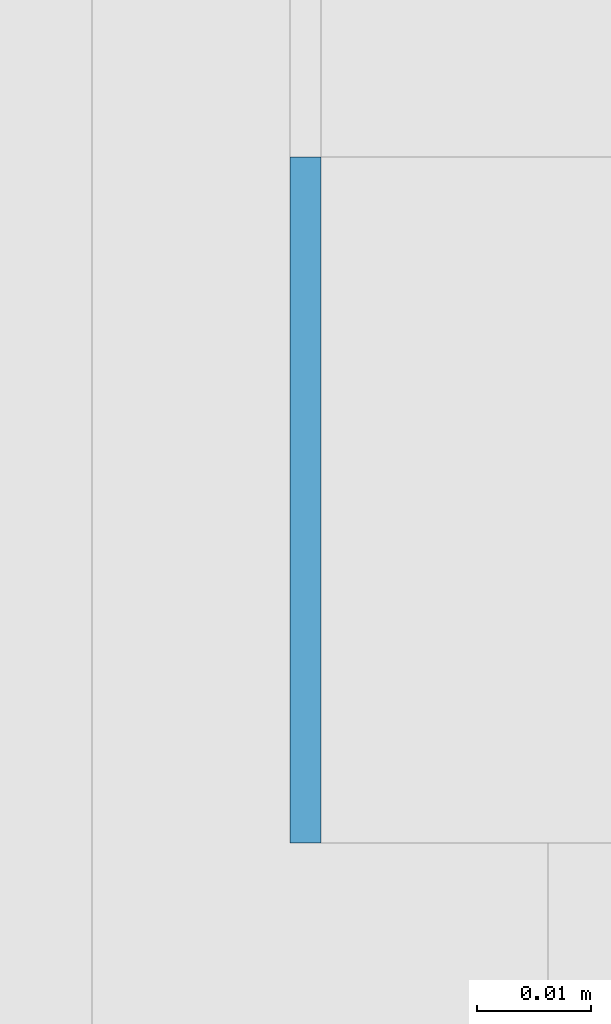
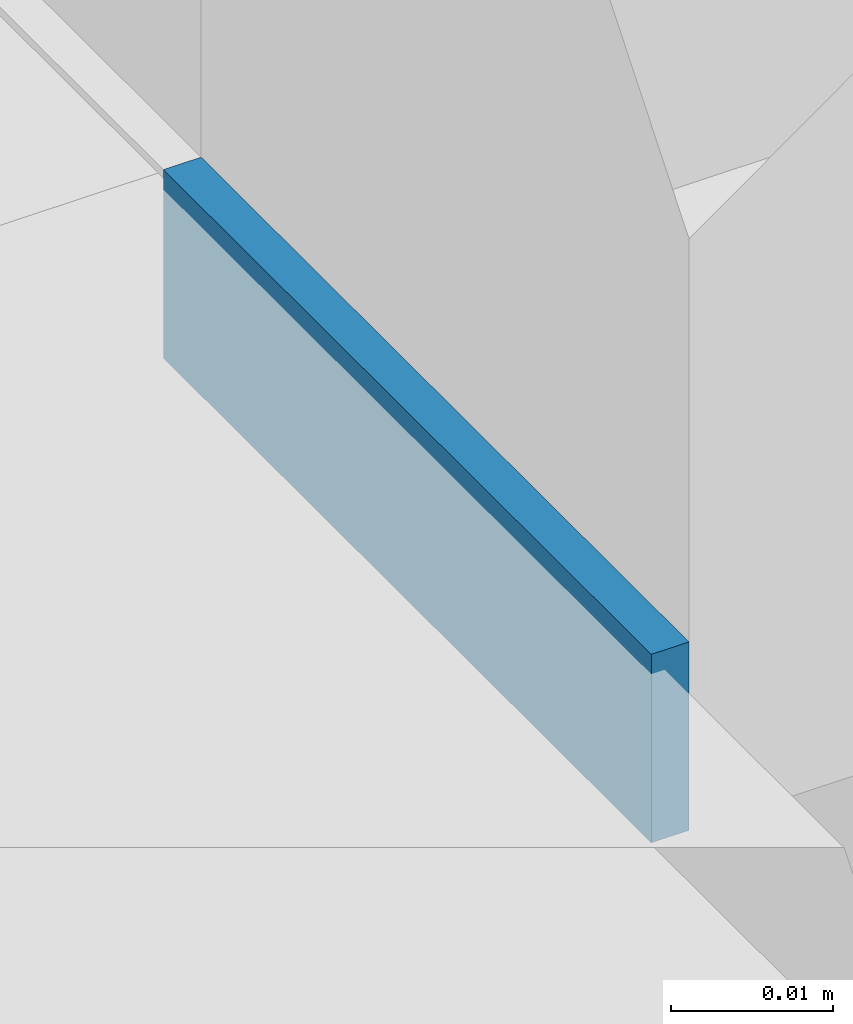
# One storey, part 556 of 646: 1 discrete accessory.
"""IFC4 building model written with IfcOpenShell, lengths in metres."""

from ifc_helpers import new_model, si_unit, direction, frame, origin, origin_2d, place, context, subcontext, project, spatial, rectangle, extrude, material, type_object, element, save


model = new_model("IFC4")

# Units and contexts
model_context = context("Model", 3, precision=1e-05, world=origin(), true_north=direction((0.0, 1.0)))
body_context = subcontext(model_context, "Body", "Model", "MODEL_VIEW")
ifc_project = project(units=[si_unit("LENGTHUNIT", "METRE"), si_unit("AREAUNIT", "SQUARE_METRE"), si_unit("VOLUMEUNIT", "CUBIC_METRE"), si_unit("PLANEANGLEUNIT", "RADIAN"), si_unit("MASSUNIT", "GRAM", prefix="KILO")], contexts=[model_context])

# Site, building, storey
site_placement = place(None, origin())
site = spatial("IfcSite", under=ifc_project, at=site_placement, CompositionType="ELEMENT")
building_placement = place(site_placement, origin())
building = spatial("IfcBuilding", under=site, at=building_placement, Name="Silverbay Arena", CompositionType="ELEMENT")
storey_placement = place(building_placement, frame((0.0, 0.0, 33.5)))
storey = spatial("IfcBuildingStorey", under=building, at=storey_placement, Name="L05", CompositionType="ELEMENT", Elevation=33.5)

# Discrete accessory
ifc_material = material(Name="Steel S355", Category="steel")
discrete_accessory_type = type_object("IfcDiscreteAccessoryType", Name="Steel bracket plate", PredefinedType="BRACKET", material=ifc_material)
discrete_accessory_placement = place(storey_placement, frame((207.128662109375, 98.969970703125, 4.0), z_axis=(0.0, 0.0, 1.0), x_axis=(1.0, 0.0, 0.0)))
element("IfcDiscreteAccessory", 1, at=discrete_accessory_placement, inside=storey, type_object=discrete_accessory_type, Name="Curtain wall packing plate", PredefinedType="BRACKET", context=body_context, shape_type="SweptSolid", body=[
    extrude(rectangle(XDim=0.002685546875, YDim=0.06005859375, at=origin_2d()), origin(), (0.0, 0.0, 1.0), 0.01416015625),
])

save(model, "model.ifc")
